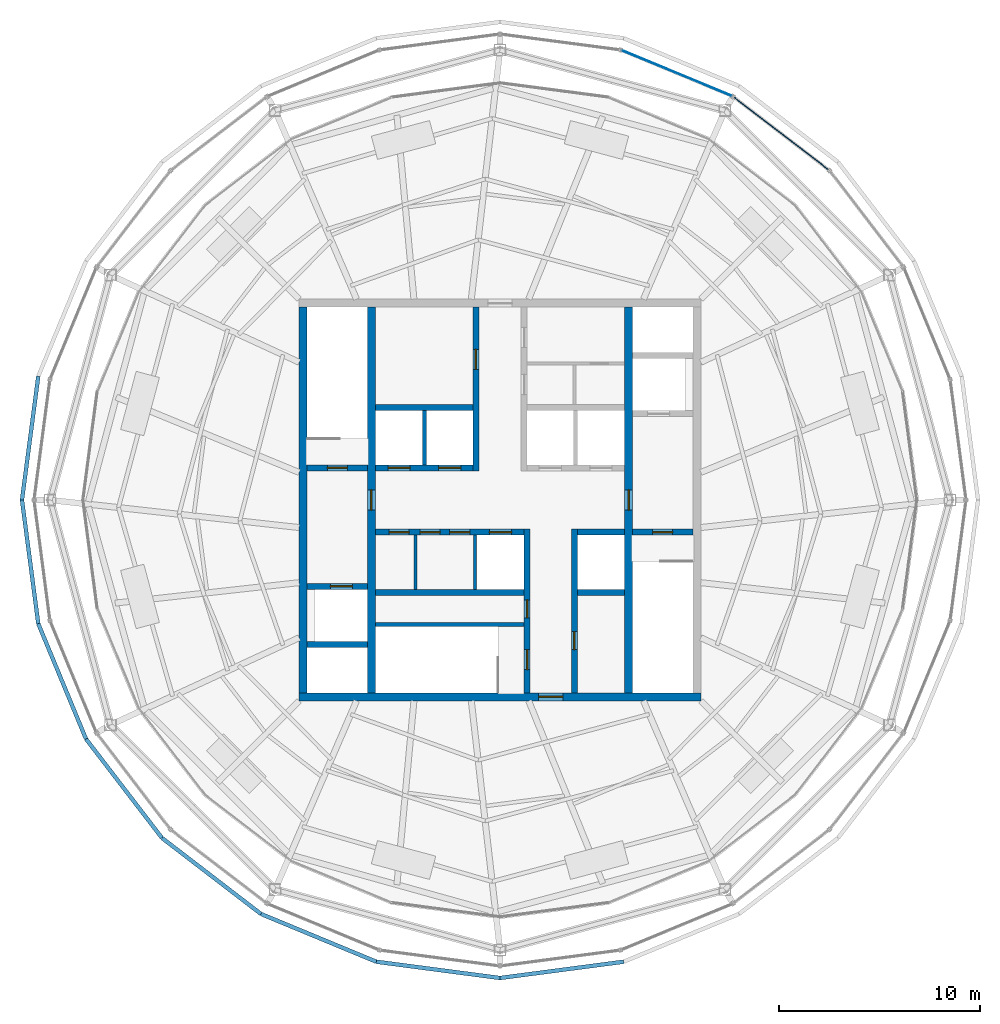
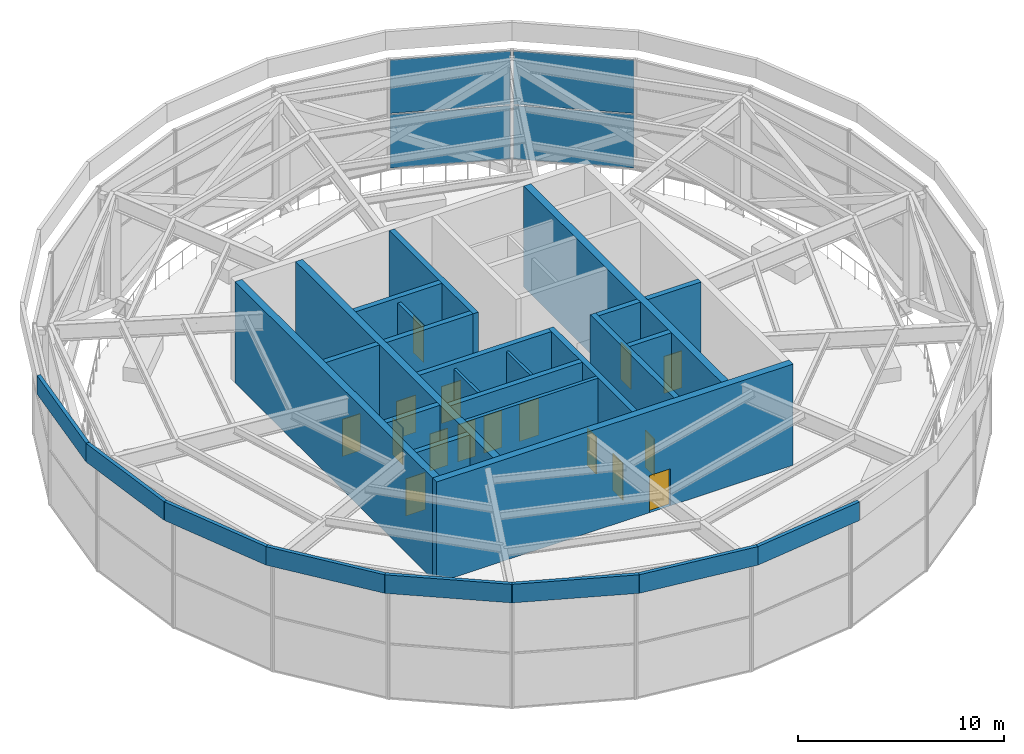
# One storey, part 9 of 13: 29 walls, 16 doors, 4 plates, 16 openings, 2 elements without a shape of their own.
"""IFC4 building model written with IfcOpenShell, lengths in metres."""

from ifc_helpers import new_model, si_unit, direction, frame, frame_2d, origin, origin_2d, place, context, subcontext, project, spatial, rectangle, extrude, material, layer, layer_set, type_object, element, fill, aggregate, save


model = new_model("IFC4")

# Units and contexts
model_context = context("Model", 3, precision=1e-05, world=origin(), true_north=direction((0.0, 1.0)))
body_context = subcontext(model_context, "Body", "Model", "MODEL_VIEW")
ifc_project = project(units=[si_unit("LENGTHUNIT", "METRE"), si_unit("AREAUNIT", "SQUARE_METRE"), si_unit("VOLUMEUNIT", "CUBIC_METRE"), si_unit("PLANEANGLEUNIT", "RADIAN"), si_unit("MASSUNIT", "GRAM", prefix="KILO")], contexts=[model_context])

# Site, building, storey
site_placement = place(None, origin())
site = spatial("IfcSite", under=ifc_project, at=site_placement, CompositionType="ELEMENT")
building_placement = place(site_placement, origin())
building = spatial("IfcBuilding", under=site, at=building_placement, Name="Golbaran Civic Tower", CompositionType="ELEMENT")
storey_placement = place(building_placement, frame((0.0, 0.0, 284.0)))
storey = spatial("IfcBuildingStorey", under=building, at=storey_placement, Name="L69", CompositionType="ELEMENT", Elevation=284.0)

# Curtain wall, plates
ifc_material_1 = material(Name="Aluminium and glass", Category="aluminium")
curtain_wall_type = type_object("IfcCurtainWallType", Name="OUTER SKIN TERRACOTTA SCREEN", PredefinedType="NOTDEFINED", material=ifc_material_1)
curtain_wall_1_placement = place(storey_placement, origin())
curtain_wall_1 = element("IfcCurtainWall", 1, at=curtain_wall_1_placement, inside=storey, type_object=curtain_wall_type, Name="Crown screen L69 facet 4 CW3", ObjectType="OUTER SKIN", PredefinedType="USERDEFINED")
ifc_material_2 = material(Name="Terracotta baguette screen", Category="masonry")
ifc_layer_1 = layer(ifc_material_2, 0.0400390625, Name="Terracotta baguette screen")
ifc_layer_set_1 = layer_set([ifc_layer_1], Name="Terracotta baguette screen")
plate_type = type_object("IfcPlateType", Name="OUTER SKIN TERRACOTTA SCREEN PANEL", PredefinedType="CURTAIN_PANEL", material=ifc_layer_set_1)
plate_1_placement = place(storey_placement, frame((14.00244140625, 18.248291015625, -0.6298828125), z_axis=(0.0, 0.0, 1.0), x_axis=(-0.793353340344, 0.608761428939, 0.0)))
plate_1 = element("IfcPlate", 2, at=plate_1_placement, type_object=plate_type, Name="CW3 terracotta screen panel 1.1", PredefinedType="CURTAIN_PANEL", context=body_context, shape_type="SweptSolid", body=[
    extrude(rectangle(XDim=5.896484375, YDim=0.0400390625, at=origin_2d()), origin(), (0.0, 0.0, 1.0), 3.159912109375),
])
plate_2_placement = place(storey_placement, frame((14.00244140625, 18.248291015625, 2.60986328125), z_axis=(0.0, 0.0, 1.0), x_axis=(-0.793353340344, 0.608761428939, 0.0)))
plate_2 = element("IfcPlate", 3, at=plate_2_placement, type_object=plate_type, Name="CW3 terracotta screen panel 1.2", PredefinedType="CURTAIN_PANEL", context=body_context, shape_type="SweptSolid", body=[
    extrude(rectangle(XDim=5.896484375, YDim=0.0400390625, at=origin_2d()), origin(), (0.0, 0.0, 1.0), 3.159912109375),
])
aggregate(curtain_wall_1, [plate_1, plate_2])

curtain_wall_2_placement = place(storey_placement, origin())
curtain_wall_2 = element("IfcCurtainWall", 4, at=curtain_wall_2_placement, inside=storey, type_object=curtain_wall_type, Name="Crown screen L69 facet 5 CW3", ObjectType="OUTER SKIN", PredefinedType="USERDEFINED")
plate_3_placement = place(storey_placement, frame((8.80224609375, 21.250732421875, -0.6298828125), z_axis=(0.0, 0.0, 1.0), x_axis=(-0.923879532525, 0.382683432333, 0.0)))
plate_3 = element("IfcPlate", 5, at=plate_3_placement, type_object=plate_type, Name="CW3 terracotta screen panel 1.1", PredefinedType="CURTAIN_PANEL", context=body_context, shape_type="SweptSolid", body=[
    extrude(rectangle(XDim=5.896484375, YDim=0.0400390625, at=origin_2d()), origin(), (0.0, 0.0, 1.0), 3.159912109375),
])
plate_4_placement = place(storey_placement, frame((8.80224609375, 21.250732421875, 2.60986328125), z_axis=(0.0, 0.0, 1.0), x_axis=(-0.923879532525, 0.382683432333, 0.0)))
plate_4 = element("IfcPlate", 6, at=plate_4_placement, type_object=plate_type, Name="CW3 terracotta screen panel 1.2", PredefinedType="CURTAIN_PANEL", context=body_context, shape_type="SweptSolid", body=[
    extrude(rectangle(XDim=5.896484375, YDim=0.0400390625, at=origin_2d()), origin(), (0.0, 0.0, 1.0), 3.159912109375),
])
aggregate(curtain_wall_2, [plate_3, plate_4])

# Walls
ifc_material_3 = material(Name="Concrete block", Category="concrete")
ifc_layer_2 = layer(ifc_material_3, 0.14990234375, Name="Concrete block")
ifc_layer_set_2 = layer_set([ifc_layer_2], Name="Concrete block")
wall_type_1 = type_object("IfcWallType", Name="BLOCKWORK PARTITION 150", PredefinedType="PARTITIONING", material=ifc_layer_set_2)
for number, where, z_axis, x_axis, name in (
    (7, (-4.199951171875, -1.75, 0.0), (0.0, 0.0, 1.0), (0.0, -1.0, 0.0), "Core room partition HP0 L69"),
    (8, (-1.25, -1.75, 0.0), (0.0, 0.0, 1.0), (0.0, -1.0, 0.0), "Lift H3 hoistway west wall L69"),
):
    element("IfcWall", number, at=place(storey_placement, frame(where, z_axis=z_axis, x_axis=x_axis)), inside=storey, type_object=wall_type_1, Name=name, PredefinedType="PARTITIONING", context=body_context, shape_type="SweptSolid", body=[
        extrude(rectangle(XDim=2.699951171875, YDim=0.14990234375, at=frame_2d((1.35009765625, 0.0))), origin(), (0.0, 0.0, 1.0), 5.699951171875),
    ])
ifc_material_4 = material(Name="Terracotta rainscreen on light steel framing", Category="masonry")
ifc_layer_3 = layer(ifc_material_4, 0.199951171875, Name="Terracotta rainscreen on light steel framing")
ifc_layer_set_3 = layer_set([ifc_layer_3], Name="Terracotta rainscreen on light steel framing")
wall_type_2 = type_object("IfcWallType", Name="CANOPY PARAPET RAINSCREEN 200", PredefinedType="PARAPET", material=ifc_layer_set_3)
for number, where, z_axis, x_axis, name in (
    (9, (-22.98828125, 6.15966796875, 6.0), (0.0, 0.0, 1.0), (-0.130503305206, -0.991447874238, 0.0), "Canopy roof parapet 12"),
    (10, (-23.799072265625, 0.0, 6.0), (0.0, 0.0, 1.0), (0.130503305206, -0.991447874238, 0.0), "Canopy roof parapet 13"),
    (11, (-22.98828125, -6.15966796875, 6.0), (0.0, 0.0, 1.0), (0.38269768494, -0.923873628773, 0.0), "Canopy roof parapet 14"),
):
    element("IfcWall", number, at=place(storey_placement, frame(where, z_axis=z_axis, x_axis=x_axis)), inside=storey, type_object=wall_type_2, Name=name, PredefinedType="PARAPET", context=body_context, shape_type="SweptSolid", body=[
        extrude(rectangle(XDim=6.212890625, YDim=0.199951171875, at=frame_2d((3.1064453125, 0.0))), origin(), (0.0, 0.0, 1.0), 1.10009765625),
    ])
for number, where, z_axis, x_axis, name in (
    (12, (-20.610595703125, -11.899658203125, 6.0), (0.0, 0.0, 1.0), (0.608747465187, -0.793364054913, 0.0), "Canopy roof parapet 15"),
    (13, (-16.82861328125, -16.82861328125, 6.0), (0.0, 0.0, 1.0), (0.793364054913, -0.608747465187, 0.0), "Canopy roof parapet 16"),
):
    element("IfcWall", number, at=place(storey_placement, frame(where, z_axis=z_axis, x_axis=x_axis)), inside=storey, type_object=wall_type_2, Name=name, PredefinedType="PARAPET", context=body_context, shape_type="SweptSolid", body=[
        extrude(rectangle(XDim=6.212646484375, YDim=0.199951171875, at=frame_2d((3.1064453125, 0.0))), origin(), (0.0, 0.0, 1.0), 1.10009765625),
    ])
for number, where, z_axis, x_axis, name in (
    (14, (-11.899658203125, -20.610595703125, 6.0), (0.0, 0.0, 1.0), (0.923873628773, -0.38269768494, 0.0), "Canopy roof parapet 17"),
    (15, (-6.15966796875, -22.98828125, 6.0), (0.0, 0.0, 1.0), (0.991447874238, -0.130503305206, 0.0), "Canopy roof parapet 18"),
    (16, (0.0, -23.799072265625, 6.0), (0.0, 0.0, 1.0), (0.991447874238, 0.130503305206, 0.0), "Canopy roof parapet 19"),
):
    element("IfcWall", number, at=place(storey_placement, frame(where, z_axis=z_axis, x_axis=x_axis)), inside=storey, type_object=wall_type_2, Name=name, PredefinedType="PARAPET", context=body_context, shape_type="SweptSolid", body=[
        extrude(rectangle(XDim=6.212890625, YDim=0.199951171875, at=frame_2d((3.1064453125, 0.0))), origin(), (0.0, 0.0, 1.0), 1.10009765625),
    ])

# Wall, opening, door
ifc_material_5 = material(Name="Concrete C50/60", Category="concrete")
ifc_layer_4 = layer(ifc_material_5, 0.39990234375, Name="Concrete C50/60")
ifc_layer_set_4 = layer_set([ifc_layer_4], Name="Concrete C50/60")
wall_type_3 = type_object("IfcWallType", Name="CORE WALL CONCRETE 400", PredefinedType="SOLIDWALL", material=ifc_layer_set_4)
wall_1_placement = place(storey_placement, frame((10.0, -9.800048828125, 0.0), z_axis=(0.0, 0.0, 1.0), x_axis=(-1.0, 0.0, 0.0)))
wall_1 = element("IfcWall", 17, at=wall_1_placement, inside=storey, type_object=wall_type_3, Name="Core wall CS L69", PredefinedType="SOLIDWALL", context=body_context, shape_type="SweptSolid", body=[
    extrude(rectangle(XDim=20.0, YDim=0.39990234375, at=frame_2d((10.0, 0.0))), origin(), (0.0, 0.0, 1.0), 6.0),
])
opening_1_placement = place(wall_1_placement, frame((6.875, 0.0, 0.0)))
opening_1 = element("IfcOpeningElement", 18, at=opening_1_placement, cuts=wall_1, Name="Opening L69.CS", PredefinedType="OPENING", context=body_context, shape_type="SweptSolid", body=[
    extrude(rectangle(XDim=1.199951171875, YDim=2.199951171875, at=frame_2d((0.60009765625, 1.10009765625))), frame((0.0, 0.2099609375, 0.0), z_axis=(0.0, -1.0, 0.0), x_axis=(1.0, 0.0, 0.0)), (0.0, 0.0, 1.0), 0.419921875),
])
ifc_material_6 = material(Name="Timber door set in steel frame", Category="steel")
door_type_1 = type_object("IfcDoorType", Name="CORE DOOR 1200x2200", OperationType="DOUBLE_DOOR_SINGLE_SWING", PredefinedType="DOOR", material=ifc_material_6)
door_1_placement = place(opening_1_placement, origin())
door_1 = element("IfcDoor", 19, at=door_1_placement, inside=storey, type_object=door_type_1, Name="Core door south to the roof terrace", OperationType="DOUBLE_DOOR_SINGLE_SWING", OverallHeight=2.199951171875, OverallWidth=1.199951171875, PredefinedType="DOOR", context=body_context, shape_type="SweptSolid", body=[
    extrude(rectangle(XDim=1.199951171875, YDim=2.199951171875, at=frame_2d((0.60009765625, 1.10009765625))), frame((0.0, 0.02490234375, 0.0), z_axis=(0.0, -1.0, 0.0), x_axis=(1.0, 0.0, 0.0)), (0.0, 0.0, 1.0), 0.050048828125),
])
fill(opening_1, door_1)

# Wall
wall_2_placement = place(storey_placement, frame((-9.800048828125, 9.60009765625, 0.0), z_axis=(0.0, 0.0, 1.0), x_axis=(0.0, -1.0, 0.0)))
element("IfcWall", 20, at=wall_2_placement, inside=storey, type_object=wall_type_3, Name="Core wall CW L69", PredefinedType="SOLIDWALL", context=body_context, shape_type="SweptSolid", body=[
    extrude(rectangle(XDim=19.2001953125, YDim=0.39990234375, at=frame_2d((9.60009765625, 0.0))), origin(), (0.0, 0.0, 1.0), 6.0),
])

# Wall, opening, door
wall_3_placement = place(storey_placement, frame((-6.39990234375, -9.60009765625, 0.0), z_axis=(0.0, 0.0, 1.0), x_axis=(0.0, 1.0, 0.0)))
wall_3 = element("IfcWall", 21, at=wall_3_placement, inside=storey, type_object=wall_type_3, Name="Core wall IW L69", PredefinedType="SOLIDWALL", context=body_context, shape_type="SweptSolid", body=[
    extrude(rectangle(XDim=19.2001953125, YDim=0.39990234375, at=frame_2d((9.60009765625, 0.0))), origin(), (0.0, 0.0, 1.0), 6.0),
])
opening_2_placement = place(wall_3_placement, frame((9.10009765625, 0.0, 0.0)))
opening_2 = element("IfcOpeningElement", 22, at=opening_2_placement, cuts=wall_3, Name="Opening L69.FL1", PredefinedType="OPENING", context=body_context, shape_type="SweptSolid", body=[
    extrude(rectangle(XDim=1.0, YDim=2.199951171875, at=frame_2d((0.5, 1.10009765625))), frame((0.0, 0.2099609375, 0.0), z_axis=(0.0, -1.0, 0.0), x_axis=(1.0, 0.0, 0.0)), (0.0, 0.0, 1.0), 0.419921875),
])
door_type_2 = type_object("IfcDoorType", Name="STAIR DOOR 1000x2200", OperationType="SINGLE_SWING_LEFT", PredefinedType="DOOR", material=ifc_material_6)
door_2_placement = place(opening_2_placement, origin())
door_2 = element("IfcDoor", 23, at=door_2_placement, inside=storey, type_object=door_type_2, Name="Fire-fighting lobby FL1 door", OperationType="SINGLE_SWING_LEFT", OverallHeight=2.199951171875, OverallWidth=1.0, PredefinedType="DOOR", context=body_context, shape_type="SweptSolid", body=[
    extrude(rectangle(XDim=1.0, YDim=2.199951171875, at=frame_2d((0.5, 1.10009765625))), frame((0.0, 0.02490234375, 0.0), z_axis=(0.0, -1.0, 0.0), x_axis=(1.0, 0.0, 0.0)), (0.0, 0.0, 1.0), 0.050048828125),
])
fill(opening_2, door_2)

wall_4_placement = place(storey_placement, frame((6.39990234375, 9.60009765625, 0.0), z_axis=(0.0, 0.0, 1.0), x_axis=(0.0, -1.0, 0.0)))
wall_4 = element("IfcWall", 24, at=wall_4_placement, inside=storey, type_object=wall_type_3, Name="Core wall IE L69", PredefinedType="SOLIDWALL", context=body_context, shape_type="SweptSolid", body=[
    extrude(rectangle(XDim=19.2001953125, YDim=0.39990234375, at=frame_2d((9.60009765625, 0.0))), origin(), (0.0, 0.0, 1.0), 6.0),
])
opening_3_placement = place(wall_4_placement, frame((9.10009765625, 0.0, 0.0)))
opening_3 = element("IfcOpeningElement", 25, at=opening_3_placement, cuts=wall_4, Name="Opening L69.FL2", PredefinedType="OPENING", context=body_context, shape_type="SweptSolid", body=[
    extrude(rectangle(XDim=1.0, YDim=2.199951171875, at=frame_2d((0.5, 1.10009765625))), frame((0.0, 0.2099609375, 0.0), z_axis=(0.0, -1.0, 0.0), x_axis=(1.0, 0.0, 0.0)), (0.0, 0.0, 1.0), 0.419921875),
])
door_3_placement = place(opening_3_placement, origin())
door_3 = element("IfcDoor", 26, at=door_3_placement, inside=storey, type_object=door_type_2, Name="Fire-fighting lobby FL2 door", OperationType="SINGLE_SWING_RIGHT", OverallHeight=2.199951171875, OverallWidth=1.0, PredefinedType="DOOR", context=body_context, shape_type="SweptSolid", body=[
    extrude(rectangle(XDim=1.0, YDim=2.199951171875, at=frame_2d((0.5, 1.10009765625))), frame((0.0, 0.02490234375, 0.0), z_axis=(0.0, -1.0, 0.0), x_axis=(1.0, 0.0, 0.0)), (0.0, 0.0, 1.0), 0.050048828125),
])
fill(opening_3, door_3)

# Walls
ifc_layer_5 = layer(ifc_material_3, 0.199951171875, Name="Concrete block")
ifc_layer_set_5 = layer_set([ifc_layer_5], Name="Concrete block")
wall_type_4 = type_object("IfcWallType", Name="LIFT SEPARATOR WALL 200", PredefinedType="SOLIDWALL", material=ifc_layer_set_5)
wall_5_placement = place(storey_placement, frame((-3.75, 1.75, 0.0), z_axis=(0.0, 0.0, 1.0), x_axis=(0.0, 1.0, 0.0)))
element("IfcWall", 27, at=wall_5_placement, inside=storey, type_object=wall_type_4, Name="Core partition SNW L69", PredefinedType="SOLIDWALL", context=body_context, shape_type="SweptSolid", body=[
    extrude(rectangle(XDim=2.699951171875, YDim=0.199951171875, at=frame_2d((1.35009765625, 0.0))), origin(), (0.0, 0.0, 1.0), 5.699951171875),
])
ifc_layer_6 = layer(ifc_material_5, 0.199951171875, Name="Concrete C50/60")
ifc_layer_set_6 = layer_set([ifc_layer_6], Name="Concrete C50/60")
wall_type_5 = type_object("IfcWallType", Name="SHAFT WALL CONCRETE 200", PredefinedType="SOLIDWALL", material=ifc_layer_set_6)
wall_6_placement = place(storey_placement, frame((-6.199951171875, -6.199951171875, 0.0), z_axis=(0.0, 0.0, 1.0), x_axis=(1.0, 0.0, 0.0)))
element("IfcWall", 28, at=wall_6_placement, inside=storey, type_object=wall_type_5, Name="Core wall S3N L69", PredefinedType="SOLIDWALL", context=body_context, shape_type="SweptSolid", body=[
    extrude(rectangle(XDim=7.39990234375, YDim=0.199951171875, at=frame_2d((3.699951171875, 0.0))), origin(), (0.0, 0.0, 1.0), 6.0),
])

# Wall, openings, doors
ifc_layer_7 = layer(ifc_material_5, 0.300048828125, Name="Concrete C50/60")
ifc_layer_set_7 = layer_set([ifc_layer_7], Name="Concrete C50/60")
wall_type_6 = type_object("IfcWallType", Name="SHAFT WALL CONCRETE 300", PredefinedType="SOLIDWALL", material=ifc_layer_set_7)
wall_7_placement = place(storey_placement, frame((-6.199951171875, 1.60009765625, 0.0), z_axis=(0.0, 0.0, 1.0), x_axis=(1.0, 0.0, 0.0)))
wall_7 = element("IfcWall", 29, at=wall_7_placement, inside=storey, type_object=wall_type_6, Name="Core wall FNW L69", PredefinedType="SOLIDWALL", context=body_context, shape_type="SweptSolid", body=[
    extrude(rectangle(XDim=4.849853515625, YDim=0.300048828125, at=frame_2d((2.4248046875, 0.0))), origin(), (0.0, 0.0, 1.0), 6.0),
])
opening_4_placement = place(wall_7_placement, frame((0.625, 0.0, 0.0)))
opening_4 = element("IfcOpeningElement", 30, at=opening_4_placement, cuts=wall_7, Name="Opening L69.LD-Z1T", PredefinedType="OPENING", context=body_context, shape_type="SweptSolid", body=[
    extrude(rectangle(XDim=1.10009765625, YDim=2.199951171875, at=frame_2d((0.550048828125, 1.10009765625))), frame((0.0, 0.159912109375, 0.0), z_axis=(0.0, -1.0, 0.0), x_axis=(1.0, 0.0, 0.0)), (0.0, 0.0, 1.0), 0.320068359375),
])
opening_5_placement = place(wall_7_placement, frame((3.14990234375, 0.0, 0.0)))
opening_5 = element("IfcOpeningElement", 31, at=opening_5_placement, cuts=wall_7, Name="Opening L69.LD-Z2T", PredefinedType="OPENING", context=body_context, shape_type="SweptSolid", body=[
    extrude(rectangle(XDim=1.10009765625, YDim=2.199951171875, at=frame_2d((0.550048828125, 1.10009765625))), frame((0.0, 0.159912109375, 0.0), z_axis=(0.0, -1.0, 0.0), x_axis=(1.0, 0.0, 0.0)), (0.0, 0.0, 1.0), 0.320068359375),
])
ifc_material_7 = material(Name="Stainless steel", Category="steel")
door_type_3 = type_object("IfcDoorType", Name="LIFT LANDING DOOR 1100x2200", OperationType="SLIDING_TO_LEFT", PredefinedType="DOOR", material=ifc_material_7)
door_4_placement = place(opening_4_placement, origin())
door_4 = element("IfcDoor", 32, at=door_4_placement, inside=storey, type_object=door_type_3, Name="Lift landing door Z1T", OperationType="SLIDING_TO_LEFT", OverallHeight=2.199951171875, OverallWidth=1.10009765625, PredefinedType="DOOR", context=body_context, shape_type="SweptSolid", body=[
    extrude(rectangle(XDim=1.10009765625, YDim=2.199951171875, at=frame_2d((0.550048828125, 1.10009765625))), frame((0.0, 0.02490234375, 0.0), z_axis=(0.0, -1.0, 0.0), x_axis=(1.0, 0.0, 0.0)), (0.0, 0.0, 1.0), 0.050048828125),
])
fill(opening_4, door_4)
door_5_placement = place(opening_5_placement, origin())
door_5 = element("IfcDoor", 33, at=door_5_placement, inside=storey, type_object=door_type_3, Name="Lift landing door Z2T", OperationType="SLIDING_TO_LEFT", OverallHeight=2.199951171875, OverallWidth=1.10009765625, PredefinedType="DOOR", context=body_context, shape_type="SweptSolid", body=[
    extrude(rectangle(XDim=1.10009765625, YDim=2.199951171875, at=frame_2d((0.550048828125, 1.10009765625))), frame((0.0, 0.02490234375, 0.0), z_axis=(0.0, -1.0, 0.0), x_axis=(1.0, 0.0, 0.0)), (0.0, 0.0, 1.0), 0.050048828125),
])
fill(opening_5, door_5)

# Wall
wall_8_placement = place(storey_placement, frame((-6.199951171875, 4.60009765625, 0.0), z_axis=(0.0, 0.0, 1.0), x_axis=(1.0, 0.0, 0.0)))
element("IfcWall", 34, at=wall_8_placement, inside=storey, type_object=wall_type_6, Name="Core wall BNW L69", PredefinedType="SOLIDWALL", context=body_context, shape_type="SweptSolid", body=[
    extrude(rectangle(XDim=4.849853515625, YDim=0.300048828125, at=frame_2d((2.4248046875, 0.0))), origin(), (0.0, 0.0, 1.0), 6.0),
])

# Wall, opening, door
wall_9_placement = place(storey_placement, frame((-1.199951171875, 1.449951171875, 0.0), z_axis=(0.0, 0.0, 1.0), x_axis=(0.0, 1.0, 0.0)))
wall_9 = element("IfcWall", 35, at=wall_9_placement, inside=storey, type_object=wall_type_6, Name="Core wall PNW L69", PredefinedType="SOLIDWALL", context=body_context, shape_type="SweptSolid", body=[
    extrude(rectangle(XDim=8.150146484375, YDim=0.300048828125, at=frame_2d((4.0751953125, 0.0))), origin(), (0.0, 0.0, 1.0), 6.0),
])
opening_6_placement = place(wall_9_placement, frame((5.050048828125, 0.0, 0.0)))
opening_6 = element("IfcOpeningElement", 36, at=opening_6_placement, cuts=wall_9, Name="Opening L69.WCM", PredefinedType="OPENING", context=body_context, shape_type="SweptSolid", body=[
    extrude(rectangle(XDim=1.0, YDim=2.199951171875, at=frame_2d((0.5, 1.10009765625))), frame((0.0, 0.159912109375, 0.0), z_axis=(0.0, -1.0, 0.0), x_axis=(1.0, 0.0, 0.0)), (0.0, 0.0, 1.0), 0.320068359375),
])
door_type_4 = type_object("IfcDoorType", Name="TOILET DOOR 1000x2200", OperationType="SINGLE_SWING_LEFT", PredefinedType="DOOR", material=ifc_material_6)
door_6_placement = place(opening_6_placement, origin())
door_6 = element("IfcDoor", 37, at=door_6_placement, inside=storey, type_object=door_type_4, Name="North-west toilet block door", OperationType="SINGLE_SWING_RIGHT", OverallHeight=2.199951171875, OverallWidth=1.0, PredefinedType="DOOR", context=body_context, shape_type="SweptSolid", body=[
    extrude(rectangle(XDim=1.0, YDim=2.199951171875, at=frame_2d((0.5, 1.10009765625))), frame((0.0, 0.02490234375, 0.0), z_axis=(0.0, -1.0, 0.0), x_axis=(1.0, 0.0, 0.0)), (0.0, 0.0, 1.0), 0.050048828125),
])
fill(opening_6, door_6)

# Wall, openings, doors
wall_10_placement = place(storey_placement, frame((-6.199951171875, -1.60009765625, 0.0), z_axis=(0.0, 0.0, 1.0), x_axis=(1.0, 0.0, 0.0)))
wall_10 = element("IfcWall", 38, at=wall_10_placement, inside=storey, type_object=wall_type_6, Name="Core wall FSW L69", PredefinedType="SOLIDWALL", context=body_context, shape_type="SweptSolid", body=[
    extrude(rectangle(XDim=7.39990234375, YDim=0.300048828125, at=frame_2d((3.699951171875, 0.0))), origin(), (0.0, 0.0, 1.0), 6.0),
])
opening_7_placement = place(wall_10_placement, frame((0.675048828125, 0.0, 0.0)))
opening_7 = element("IfcOpeningElement", 39, at=opening_7_placement, cuts=wall_10, Name="Opening L69.H1R", PredefinedType="OPENING", context=body_context, shape_type="SweptSolid", body=[
    extrude(rectangle(XDim=1.0, YDim=2.199951171875, at=frame_2d((0.5, 1.10009765625))), frame((0.0, 0.159912109375, 0.0), z_axis=(0.0, -1.0, 0.0), x_axis=(1.0, 0.0, 0.0)), (0.0, 0.0, 1.0), 0.320068359375),
])
opening_8_placement = place(wall_10_placement, frame((2.22509765625, 0.0, 0.0)))
opening_8 = element("IfcOpeningElement", 40, at=opening_8_placement, cuts=wall_10, Name="Opening L69.H2R", PredefinedType="OPENING", context=body_context, shape_type="SweptSolid", body=[
    extrude(rectangle(XDim=1.0, YDim=2.199951171875, at=frame_2d((0.5, 1.10009765625))), frame((0.0, 0.159912109375, 0.0), z_axis=(0.0, -1.0, 0.0), x_axis=(1.0, 0.0, 0.0)), (0.0, 0.0, 1.0), 0.320068359375),
])
opening_9_placement = place(wall_10_placement, frame((3.695068359375, 0.0, 0.0)))
opening_9 = element("IfcOpeningElement", 41, at=opening_9_placement, cuts=wall_10, Name="Opening L69.H3R", PredefinedType="OPENING", context=body_context, shape_type="SweptSolid", body=[
    extrude(rectangle(XDim=1.0, YDim=2.199951171875, at=frame_2d((0.5, 1.10009765625))), frame((0.0, 0.159912109375, 0.0), z_axis=(0.0, -1.0, 0.0), x_axis=(1.0, 0.0, 0.0)), (0.0, 0.0, 1.0), 0.320068359375),
])
opening_10_placement = place(wall_10_placement, frame((5.675048828125, 0.0, 0.0)))
opening_10 = element("IfcOpeningElement", 42, at=opening_10_placement, cuts=wall_10, Name="Opening L69.LD-H3", PredefinedType="OPENING", context=body_context, shape_type="SweptSolid", body=[
    extrude(rectangle(XDim=1.10009765625, YDim=2.199951171875, at=frame_2d((0.550048828125, 1.10009765625))), frame((0.0, 0.159912109375, 0.0), z_axis=(0.0, -1.0, 0.0), x_axis=(1.0, 0.0, 0.0)), (0.0, 0.0, 1.0), 0.320068359375),
])
door_type_5 = type_object("IfcDoorType", Name="CORE ROOM DOOR 1000x2200", OperationType="SINGLE_SWING_LEFT", PredefinedType="DOOR", material=ifc_material_6)
door_7_placement = place(opening_7_placement, origin())
door_7 = element("IfcDoor", 43, at=door_7_placement, inside=storey, type_object=door_type_5, Name="Event Furniture Store door", OperationType="SINGLE_SWING_LEFT", OverallHeight=2.199951171875, OverallWidth=1.0, PredefinedType="DOOR", context=body_context, shape_type="SweptSolid", body=[
    extrude(rectangle(XDim=1.0, YDim=2.199951171875, at=frame_2d((0.5, 1.10009765625))), frame((0.0, 0.02490234375, 0.0), z_axis=(0.0, -1.0, 0.0), x_axis=(1.0, 0.0, 0.0)), (0.0, 0.0, 1.0), 0.050048828125),
])
fill(opening_7, door_7)
door_8_placement = place(opening_8_placement, origin())
door_8 = element("IfcDoor", 44, at=door_8_placement, inside=storey, type_object=door_type_5, Name="Terrace Catering Store door", OperationType="SINGLE_SWING_LEFT", OverallHeight=2.199951171875, OverallWidth=1.0, PredefinedType="DOOR", context=body_context, shape_type="SweptSolid", body=[
    extrude(rectangle(XDim=1.0, YDim=2.199951171875, at=frame_2d((0.5, 1.10009765625))), frame((0.0, 0.02490234375, 0.0), z_axis=(0.0, -1.0, 0.0), x_axis=(1.0, 0.0, 0.0)), (0.0, 0.0, 1.0), 0.050048828125),
])
fill(opening_8, door_8)
door_9_placement = place(opening_9_placement, origin())
door_9 = element("IfcDoor", 45, at=door_9_placement, inside=storey, type_object=door_type_5, Name="Terrace Catering Store door", OperationType="SINGLE_SWING_RIGHT", OverallHeight=2.199951171875, OverallWidth=1.0, PredefinedType="DOOR", context=body_context, shape_type="SweptSolid", body=[
    extrude(rectangle(XDim=1.0, YDim=2.199951171875, at=frame_2d((0.5, 1.10009765625))), frame((0.0, 0.02490234375, 0.0), z_axis=(0.0, -1.0, 0.0), x_axis=(1.0, 0.0, 0.0)), (0.0, 0.0, 1.0), 0.050048828125),
])
fill(opening_9, door_9)
door_10_placement = place(opening_10_placement, origin())
door_10 = element("IfcDoor", 46, at=door_10_placement, inside=storey, type_object=door_type_3, Name="Lift landing door H3", OperationType="SLIDING_TO_LEFT", OverallHeight=2.199951171875, OverallWidth=1.10009765625, PredefinedType="DOOR", context=body_context, shape_type="SweptSolid", body=[
    extrude(rectangle(XDim=1.10009765625, YDim=2.199951171875, at=frame_2d((0.550048828125, 1.10009765625))), frame((0.0, 0.02490234375, 0.0), z_axis=(0.0, -1.0, 0.0), x_axis=(1.0, 0.0, 0.0)), (0.0, 0.0, 1.0), 0.050048828125),
])
fill(opening_10, door_10)

# Walls
wall_11_placement = place(storey_placement, frame((3.85009765625, -1.60009765625, 0.0), z_axis=(0.0, 0.0, 1.0), x_axis=(1.0, 0.0, 0.0)))
element("IfcWall", 47, at=wall_11_placement, inside=storey, type_object=wall_type_6, Name="Core wall FSE L69", PredefinedType="SOLIDWALL", context=body_context, shape_type="SweptSolid", body=[
    extrude(rectangle(XDim=2.349853515625, YDim=0.300048828125, at=frame_2d((1.1748046875, 0.0))), origin(), (0.0, 0.0, 1.0), 6.0),
])
wall_12_placement = place(storey_placement, frame((-6.199951171875, -4.60009765625, 0.0), z_axis=(0.0, 0.0, 1.0), x_axis=(1.0, 0.0, 0.0)))
element("IfcWall", 48, at=wall_12_placement, inside=storey, type_object=wall_type_6, Name="Core wall BSW L69", PredefinedType="SOLIDWALL", context=body_context, shape_type="SweptSolid", body=[
    extrude(rectangle(XDim=7.39990234375, YDim=0.300048828125, at=frame_2d((3.699951171875, 0.0))), origin(), (0.0, 0.0, 1.0), 6.0),
])
wall_13_placement = place(storey_placement, frame((3.85009765625, -4.60009765625, 0.0), z_axis=(0.0, 0.0, 1.0), x_axis=(1.0, 0.0, 0.0)))
element("IfcWall", 49, at=wall_13_placement, inside=storey, type_object=wall_type_6, Name="Core wall BSE L69", PredefinedType="SOLIDWALL", context=body_context, shape_type="SweptSolid", body=[
    extrude(rectangle(XDim=2.349853515625, YDim=0.300048828125, at=frame_2d((1.1748046875, 0.0))), origin(), (0.0, 0.0, 1.0), 6.0),
])

# Wall, openings, doors
wall_14_placement = place(storey_placement, frame((1.35009765625, -1.449951171875, 0.0), z_axis=(0.0, 0.0, 1.0), x_axis=(0.0, -1.0, 0.0)))
wall_14 = element("IfcWall", 50, at=wall_14_placement, inside=storey, type_object=wall_type_6, Name="Core wall PSW L69", PredefinedType="SOLIDWALL", context=body_context, shape_type="SweptSolid", body=[
    extrude(rectangle(XDim=8.150146484375, YDim=0.300048828125, at=frame_2d((4.0751953125, 0.0))), origin(), (0.0, 0.0, 1.0), 6.0),
])
opening_11_placement = place(wall_14_placement, frame((6.0, 0.0, 0.0)))
opening_11 = element("IfcOpeningElement", 51, at=opening_11_placement, cuts=wall_14, Name="Opening L69.S3", PredefinedType="OPENING", context=body_context, shape_type="SweptSolid", body=[
    extrude(rectangle(XDim=1.0, YDim=2.199951171875, at=frame_2d((0.5, 1.10009765625))), frame((0.0, 0.159912109375, 0.0), z_axis=(0.0, -1.0, 0.0), x_axis=(1.0, 0.0, 0.0)), (0.0, 0.0, 1.0), 0.320068359375),
])
opening_12_placement = place(wall_14_placement, frame((3.52490234375, 0.0, 0.0)))
opening_12 = element("IfcOpeningElement", 52, at=opening_12_placement, cuts=wall_14, Name="Opening L69.RE", PredefinedType="OPENING", context=body_context, shape_type="SweptSolid", body=[
    extrude(rectangle(XDim=0.89990234375, YDim=2.199951171875, at=frame_2d((0.449951171875, 1.10009765625))), frame((0.0, 0.159912109375, 0.0), z_axis=(0.0, -1.0, 0.0), x_axis=(1.0, 0.0, 0.0)), (0.0, 0.0, 1.0), 0.320068359375),
])
door_type_6 = type_object("IfcDoorType", Name="RISER DOOR 900x2200", OperationType="SINGLE_SWING_LEFT", PredefinedType="DOOR", material=ifc_material_6)
door_11_placement = place(opening_12_placement, origin())
door_11 = element("IfcDoor", 53, at=door_11_placement, inside=storey, type_object=door_type_6, Name="Electrical riser door", OperationType="SINGLE_SWING_LEFT", OverallHeight=2.199951171875, OverallWidth=0.89990234375, PredefinedType="DOOR", context=body_context, shape_type="SweptSolid", body=[
    extrude(rectangle(XDim=0.89990234375, YDim=2.199951171875, at=frame_2d((0.449951171875, 1.10009765625))), frame((0.0, 0.02490234375, 0.0), z_axis=(0.0, -1.0, 0.0), x_axis=(1.0, 0.0, 0.0)), (0.0, 0.0, 1.0), 0.050048828125),
])
fill(opening_12, door_11)
door_12_placement = place(opening_11_placement, origin())
door_12 = element("IfcDoor", 54, at=door_12_placement, inside=storey, type_object=door_type_2, Name="Stair S3 door", OperationType="SINGLE_SWING_RIGHT", OverallHeight=2.199951171875, OverallWidth=1.0, PredefinedType="DOOR", context=body_context, shape_type="SweptSolid", body=[
    extrude(rectangle(XDim=1.0, YDim=2.199951171875, at=frame_2d((0.5, 1.10009765625))), frame((0.0, 0.02490234375, 0.0), z_axis=(0.0, -1.0, 0.0), x_axis=(1.0, 0.0, 0.0)), (0.0, 0.0, 1.0), 0.050048828125),
])
fill(opening_11, door_12)

# Wall, opening, door
wall_15_placement = place(storey_placement, frame((3.699951171875, -1.449951171875, 0.0), z_axis=(0.0, 0.0, 1.0), x_axis=(0.0, -1.0, 0.0)))
wall_15 = element("IfcWall", 55, at=wall_15_placement, inside=storey, type_object=wall_type_6, Name="Core wall PSE L69", PredefinedType="SOLIDWALL", context=body_context, shape_type="SweptSolid", body=[
    extrude(rectangle(XDim=8.150146484375, YDim=0.300048828125, at=frame_2d((4.0751953125, 0.0))), origin(), (0.0, 0.0, 1.0), 6.0),
])
opening_13_placement = place(wall_15_placement, frame((5.10009765625, 0.0, 0.0)))
opening_13 = element("IfcOpeningElement", 56, at=opening_13_placement, cuts=wall_15, Name="Opening L69.RM", PredefinedType="OPENING", context=body_context, shape_type="SweptSolid", body=[
    extrude(rectangle(XDim=0.89990234375, YDim=2.199951171875, at=frame_2d((0.449951171875, 1.10009765625))), frame((0.0, 0.159912109375, 0.0), z_axis=(0.0, -1.0, 0.0), x_axis=(1.0, 0.0, 0.0)), (0.0, 0.0, 1.0), 0.320068359375),
])
door_13_placement = place(opening_13_placement, origin())
door_13 = element("IfcDoor", 57, at=door_13_placement, inside=storey, type_object=door_type_6, Name="Mechanical riser door", OperationType="SINGLE_SWING_RIGHT", OverallHeight=2.199951171875, OverallWidth=0.89990234375, PredefinedType="DOOR", context=body_context, shape_type="SweptSolid", body=[
    extrude(rectangle(XDim=0.89990234375, YDim=2.199951171875, at=frame_2d((0.449951171875, 1.10009765625))), frame((0.0, 0.02490234375, 0.0), z_axis=(0.0, -1.0, 0.0), x_axis=(1.0, 0.0, 0.0)), (0.0, 0.0, 1.0), 0.050048828125),
])
fill(opening_13, door_13)

wall_16_placement = place(storey_placement, frame((-9.60009765625, 1.60009765625, 0.0), z_axis=(0.0, 0.0, 1.0), x_axis=(1.0, 0.0, 0.0)))
wall_16 = element("IfcWall", 58, at=wall_16_placement, inside=storey, type_object=wall_type_6, Name="Core wall XW1 L69", PredefinedType="SOLIDWALL", context=body_context, shape_type="SweptSolid", body=[
    extrude(rectangle(XDim=3.0, YDim=0.300048828125, at=frame_2d((1.5, 0.0))), origin(), (0.0, 0.0, 1.0), 6.0),
])
opening_14_placement = place(wall_16_placement, frame((1.0, 0.0, 0.0)))
opening_14 = element("IfcOpeningElement", 59, at=opening_14_placement, cuts=wall_16, Name="Opening L69.S1", PredefinedType="OPENING", context=body_context, shape_type="SweptSolid", body=[
    extrude(rectangle(XDim=1.0, YDim=2.199951171875, at=frame_2d((0.5, 1.10009765625))), frame((0.0, 0.159912109375, 0.0), z_axis=(0.0, -1.0, 0.0), x_axis=(1.0, 0.0, 0.0)), (0.0, 0.0, 1.0), 0.320068359375),
])
door_14_placement = place(opening_14_placement, origin())
door_14 = element("IfcDoor", 60, at=door_14_placement, inside=storey, type_object=door_type_2, Name="Stair S1 door", OperationType="SINGLE_SWING_LEFT", OverallHeight=2.199951171875, OverallWidth=1.0, PredefinedType="DOOR", context=body_context, shape_type="SweptSolid", body=[
    extrude(rectangle(XDim=1.0, YDim=2.199951171875, at=frame_2d((0.5, 1.10009765625))), frame((0.0, 0.02490234375, 0.0), z_axis=(0.0, -1.0, 0.0), x_axis=(1.0, 0.0, 0.0)), (0.0, 0.0, 1.0), 0.050048828125),
])
fill(opening_14, door_14)

wall_17_placement = place(storey_placement, frame((6.60009765625, -1.60009765625, 0.0), z_axis=(0.0, 0.0, 1.0), x_axis=(1.0, 0.0, 0.0)))
wall_17 = element("IfcWall", 61, at=wall_17_placement, inside=storey, type_object=wall_type_6, Name="Core wall XE1 L69", PredefinedType="SOLIDWALL", context=body_context, shape_type="SweptSolid", body=[
    extrude(rectangle(XDim=3.0, YDim=0.300048828125, at=frame_2d((1.5, 0.0))), origin(), (0.0, 0.0, 1.0), 6.0),
])
opening_15_placement = place(wall_17_placement, frame((1.0, 0.0, 0.0)))
opening_15 = element("IfcOpeningElement", 62, at=opening_15_placement, cuts=wall_17, Name="Opening L69.S2", PredefinedType="OPENING", context=body_context, shape_type="SweptSolid", body=[
    extrude(rectangle(XDim=1.0, YDim=2.199951171875, at=frame_2d((0.5, 1.10009765625))), frame((0.0, 0.159912109375, 0.0), z_axis=(0.0, -1.0, 0.0), x_axis=(1.0, 0.0, 0.0)), (0.0, 0.0, 1.0), 0.320068359375),
])
door_15_placement = place(opening_15_placement, origin())
door_15 = element("IfcDoor", 63, at=door_15_placement, inside=storey, type_object=door_type_2, Name="Stair S2 door", OperationType="SINGLE_SWING_LEFT", OverallHeight=2.199951171875, OverallWidth=1.0, PredefinedType="DOOR", context=body_context, shape_type="SweptSolid", body=[
    extrude(rectangle(XDim=1.0, YDim=2.199951171875, at=frame_2d((0.5, 1.10009765625))), frame((0.0, 0.02490234375, 0.0), z_axis=(0.0, -1.0, 0.0), x_axis=(1.0, 0.0, 0.0)), (0.0, 0.0, 1.0), 0.050048828125),
])
fill(opening_15, door_15)

wall_18_placement = place(storey_placement, frame((-9.60009765625, -4.300048828125, 0.0), z_axis=(0.0, 0.0, 1.0), x_axis=(1.0, 0.0, 0.0)))
wall_18 = element("IfcWall", 64, at=wall_18_placement, inside=storey, type_object=wall_type_6, Name="Core wall XW2 L69", PredefinedType="SOLIDWALL", context=body_context, shape_type="SweptSolid", body=[
    extrude(rectangle(XDim=3.0, YDim=0.300048828125, at=frame_2d((1.5, 0.0))), origin(), (0.0, 0.0, 1.0), 6.0),
])
opening_16_placement = place(wall_18_placement, frame((1.14990234375, 0.0, 0.0)))
opening_16 = element("IfcOpeningElement", 65, at=opening_16_placement, cuts=wall_18, Name="Opening L69.LD-F1", PredefinedType="OPENING", context=body_context, shape_type="SweptSolid", body=[
    extrude(rectangle(XDim=1.10009765625, YDim=2.199951171875, at=frame_2d((0.550048828125, 1.10009765625))), frame((0.0, 0.159912109375, 0.0), z_axis=(0.0, -1.0, 0.0), x_axis=(1.0, 0.0, 0.0)), (0.0, 0.0, 1.0), 0.320068359375),
])
door_16_placement = place(opening_16_placement, origin())
door_16 = element("IfcDoor", 66, at=door_16_placement, inside=storey, type_object=door_type_3, Name="Lift landing door F1", OperationType="SLIDING_TO_LEFT", OverallHeight=2.199951171875, OverallWidth=1.10009765625, PredefinedType="DOOR", context=body_context, shape_type="SweptSolid", body=[
    extrude(rectangle(XDim=1.10009765625, YDim=2.199951171875, at=frame_2d((0.550048828125, 1.10009765625))), frame((0.0, 0.02490234375, 0.0), z_axis=(0.0, -1.0, 0.0), x_axis=(1.0, 0.0, 0.0)), (0.0, 0.0, 1.0), 0.050048828125),
])
fill(opening_16, door_16)

# Wall
wall_19_placement = place(storey_placement, frame((-9.60009765625, -7.199951171875, 0.0), z_axis=(0.0, 0.0, 1.0), x_axis=(1.0, 0.0, 0.0)))
element("IfcWall", 67, at=wall_19_placement, inside=storey, type_object=wall_type_6, Name="Core wall XW3 L69", PredefinedType="SOLIDWALL", context=body_context, shape_type="SweptSolid", body=[
    extrude(rectangle(XDim=3.0, YDim=0.300048828125, at=frame_2d((1.5, 0.0))), origin(), (0.0, 0.0, 1.0), 6.0),
])

save(model, "model.ifc")
